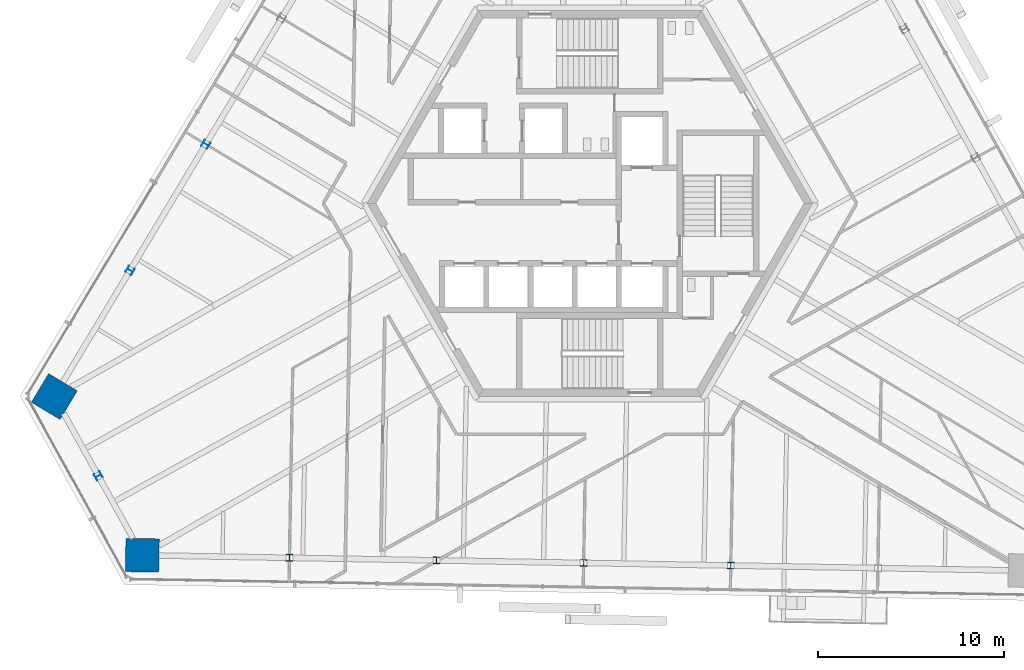
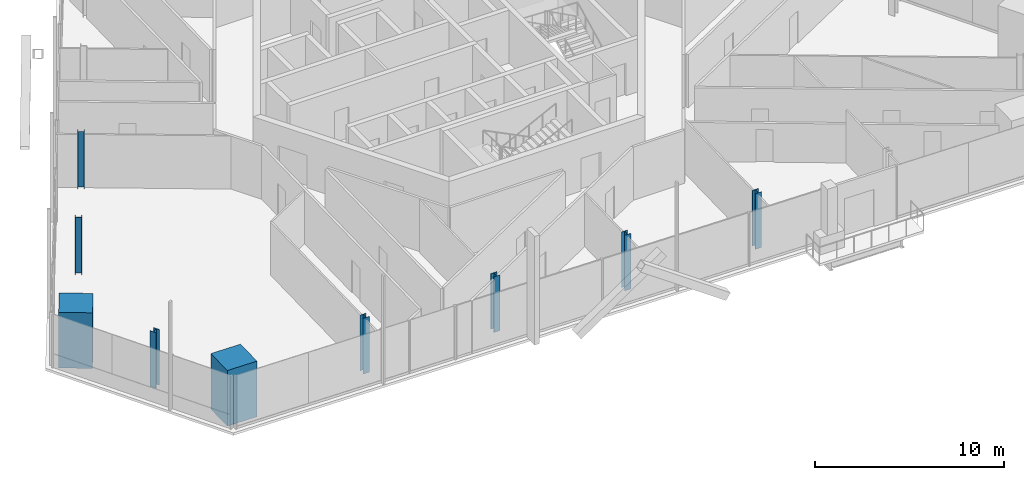
# One storey, part 1 of 20: 9 columns.
"""IFC4 building model written with IfcOpenShell, lengths in metres."""

from ifc_helpers import new_model, si_unit, direction, frame, origin, origin_2d, place, context, subcontext, project, spatial, rectangle, i_section, extrude, source, transform, mapped, material, material_profile, profile_set, type_object, element, save


model = new_model("IFC4")

# Units and contexts
model_context = context("Model", 3, precision=1e-05, world=origin(), true_north=direction((0.0, 1.0)))
body_context = subcontext(model_context, "Body", "Model", "MODEL_VIEW")
ifc_project = project(units=[si_unit("LENGTHUNIT", "METRE"), si_unit("AREAUNIT", "SQUARE_METRE"), si_unit("VOLUMEUNIT", "CUBIC_METRE"), si_unit("PLANEANGLEUNIT", "RADIAN"), si_unit("MASSUNIT", "GRAM", prefix="KILO")], contexts=[model_context])

# Site, building, storey
site_placement = place(None, origin())
site = spatial("IfcSite", under=ifc_project, at=site_placement, CompositionType="ELEMENT")
building_placement = place(site_placement, origin())
building = spatial("IfcBuilding", under=site, at=building_placement, Name="Triune Harvest Tower", CompositionType="ELEMENT")
storey_placement = place(building_placement, frame((0.0, 0.0, 194.300048828125)))
storey = spatial("IfcBuildingStorey", under=building, at=storey_placement, Name="L50", CompositionType="ELEMENT", Elevation=194.300048828125)

# Columns
ifc_material_1 = material(Name="Concrete 70 MPa", Category="concrete")
ifc_material_profile_1 = material_profile(ifc_material_1, rectangle(XDim=1.800048828125, YDim=1.800048828125, at=origin_2d()), Name="Composite 1800x1800")
ifc_profile_set_1 = profile_set([ifc_material_profile_1], Name="Concrete 70 MPa")
column_type_1 = type_object("IfcColumnType", Name="MC-5 Mega column Composite 1800x1800", PredefinedType="COLUMN", material=ifc_profile_set_1)
shared_shape_1 = source(origin(), body_context, "Body", "SweptSolid", [
    extrude(rectangle(XDim=1.800048828125, YDim=1.800048828125, at=origin_2d()), origin(), (0.0, 0.0, 1.0), 3.599853515625),
])
for number, where, z_axis, x_axis, name in (
    (1, (-28.85595703125, -10.406005859375, 0.0), (0.0, 0.0, 1.0), (-0.51503657887, -0.857168199612, 0.0), "col/L50/M14"),
    (2, (-24.1162109375, -18.956787109375, 0.0), (0.0, 0.0, 1.0), (0.999847695156, -0.017452406437, 0.0), "col/L50/M16"),
):
    element("IfcColumn", number, at=place(storey_placement, frame(where, z_axis=z_axis, x_axis=x_axis)), inside=storey, type_object=column_type_1, Name=name, PredefinedType="COLUMN", context=body_context, shape_type="MappedRepresentation", body=[
        mapped(shared_shape_1, transform((0.0, 0.0, 0.0), scale=1.0)),
    ])
ifc_material_2 = material(Name="Steel ASTM A992 Gr 50", Category="steel")
ifc_material_profile_2 = material_profile(ifc_material_2, i_section(OverallWidth=0.370849609375, OverallDepth=0.36328125, WebThickness=0.013427734375, FlangeThickness=0.021728515625, at=origin_2d()), Name="W14x109")
ifc_profile_set_2 = profile_set([ifc_material_profile_2], Name="Steel ASTM A992 Gr 50")
column_type_2 = type_object("IfcColumnType", Name="PC-5 Perimeter column W14x109", PredefinedType="COLUMN", material=ifc_profile_set_2)
shared_shape_2 = source(origin(), body_context, "Body", "SweptSolid", [
    extrude(i_section(OverallWidth=0.370849609375, OverallDepth=0.36328125, WebThickness=0.013427734375, FlangeThickness=0.021728515625, at=origin_2d()), origin(), (0.0, 0.0, 1.0), 3.599853515625),
])
for number, where, z_axis, x_axis, name in (
    (3, (-20.6904296875, 3.183837890625, 0.0), (0.0, 0.0, 1.0), (-0.51503657887, -0.857168199612, 0.0), "col/L50/P12"),
    (4, (-24.773193359375, -3.611083984375, 0.0), (0.0, 0.0, 1.0), (-0.51503657887, -0.857168199612, 0.0), "col/L50/P13"),
    (5, (-26.486083984375, -14.681396484375, 0.0), (0.0, 0.0, 1.0), (0.484808093746, -0.87462055329, 0.0), "col/L50/P15"),
    (6, (-16.190185546875, -19.09521484375, 0.0), (0.0, 0.0, 1.0), (0.999847695156, -0.017452406437, 0.0), "col/L50/P17"),
    (7, (-8.26416015625, -19.233642578125, 0.0), (0.0, 0.0, 1.0), (0.999847695156, -0.017452406437, 0.0), "col/L50/P18"),
    (8, (-0.338134765625, -19.3720703125, 0.0), (0.0, 0.0, 1.0), (0.999847695156, -0.017452406437, 0.0), "col/L50/P19"),
    (9, (7.587890625, -19.510498046875, 0.0), (0.0, 0.0, 1.0), (0.999847695156, -0.017452406437, 0.0), "col/L50/P20"),
):
    element("IfcColumn", number, at=place(storey_placement, frame(where, z_axis=z_axis, x_axis=x_axis)), inside=storey, type_object=column_type_2, Name=name, PredefinedType="COLUMN", context=body_context, shape_type="MappedRepresentation", body=[
        mapped(shared_shape_2, transform((0.0, 0.0, 0.0), scale=1.0)),
    ])

save(model, "model.ifc")
